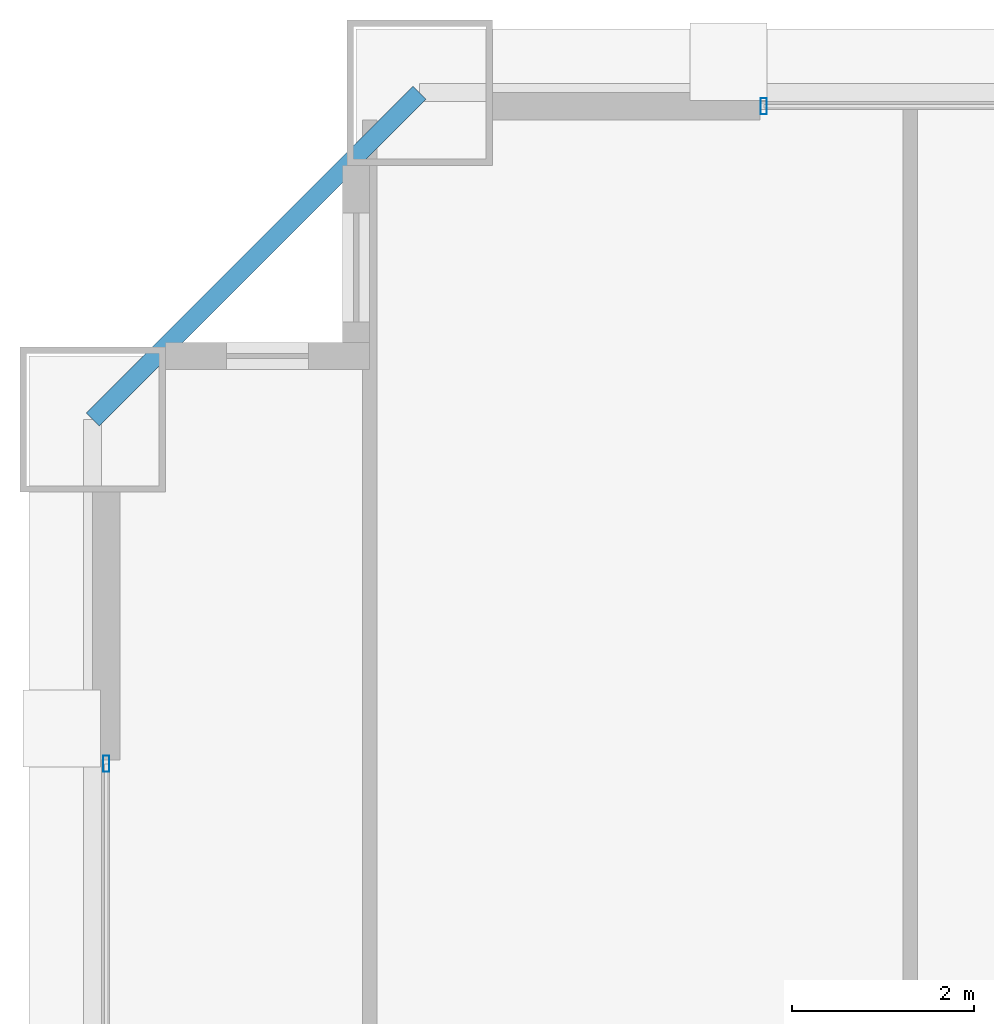
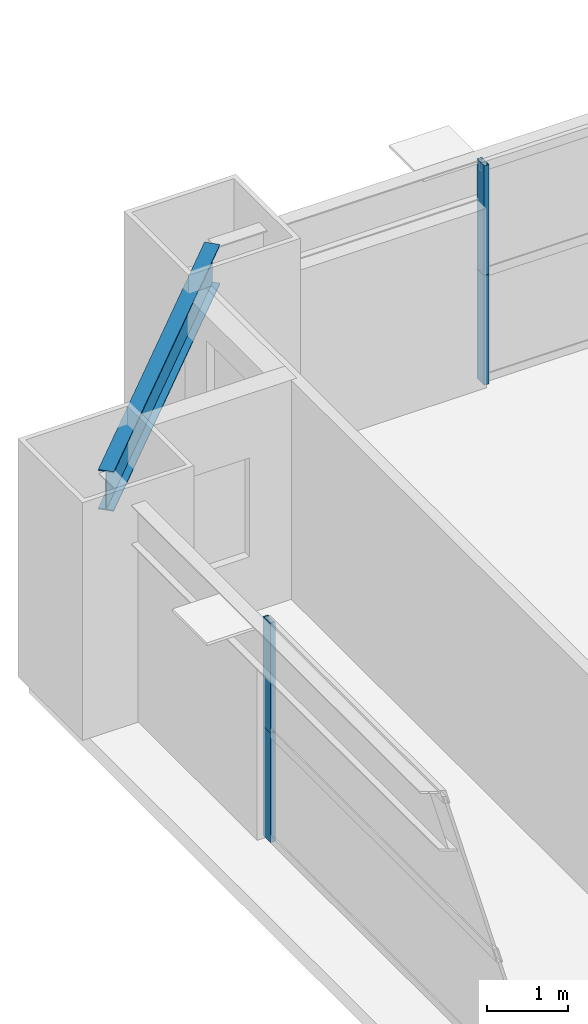
# One storey, part 22 of 38: 4 members, 1 beam, 2 elements without a shape of their own.
"""IFC4 building model written with IfcOpenShell, lengths in metres."""

from ifc_helpers import new_model, si_unit, direction, frame, origin, origin_2d, place, context, subcontext, project, spatial, hollow_rectangle, i_section, extrude, source, transform, mapped, material, layer, layer_set, material_profile, profile_set, type_object, element, aggregate, save


model = new_model("IFC4")

# Units and contexts
model_context = context("Model", 3, precision=1e-05, world=origin(), true_north=direction((0.0, 1.0)))
body_context = subcontext(model_context, "Body", "Model", "MODEL_VIEW")
ifc_project = project(units=[si_unit("LENGTHUNIT", "METRE"), si_unit("AREAUNIT", "SQUARE_METRE"), si_unit("VOLUMEUNIT", "CUBIC_METRE"), si_unit("PLANEANGLEUNIT", "RADIAN"), si_unit("MASSUNIT", "GRAM", prefix="KILO"), si_unit("THERMODYNAMICTEMPERATUREUNIT", "KELVIN"), si_unit("POWERUNIT", "WATT")], contexts=[model_context])

# Site, building, storey
site_placement = place(None, origin())
site = spatial("IfcSite", under=ifc_project, at=site_placement, CompositionType="ELEMENT")
building_placement = place(site_placement, origin())
building = spatial("IfcBuilding", under=site, at=building_placement, Name="Yuzanri Waterfront Tower", CompositionType="ELEMENT")
storey_placement = place(building_placement, frame((0.0, 0.0, 126.199951171875)))
storey = spatial("IfcBuildingStorey", under=building, at=storey_placement, Name="L33", CompositionType="ELEMENT", Elevation=126.199951171875)

# Beam
ifc_material_1 = material(Name="Steel Q355B", Category="steel")
ifc_material_profile_1 = material_profile(ifc_material_1, i_section(OverallWidth=0.199951171875, OverallDepth=0.60009765625, WebThickness=0.010986328125, FlangeThickness=0.01708984375, at=origin_2d()), Name="HN 600x200x11x17")
ifc_profile_set_1 = profile_set([ifc_material_profile_1], Name="Steel Q355B")
beam_type = type_object("IfcBeamType", Name="Perimeter Spandrel Q355B HN 600x200", PredefinedType="SPANDREL", material=ifc_profile_set_1)
shared_shape_1 = source(origin(), body_context, "Body", "SweptSolid", [
    extrude(i_section(OverallWidth=0.199951171875, OverallDepth=0.60009765625, WebThickness=0.010986328125, FlangeThickness=0.01708984375, at=origin_2d()), origin(), (0.0, 0.0, 1.0), 5.091064453125),
])
beam_placement = place(storey_placement, frame((17.0, 49.39990234375, 3.02001953125), z_axis=(-0.707130757816, -0.707082803744, 0.0), x_axis=(0.707082803744, -0.707130757816, 0.0)))
element("IfcBeam", 1, at=beam_placement, inside=storey, type_object=beam_type, Name="L33 Perimeter Spandrel N1-W3", PredefinedType="SPANDREL", context=body_context, shape_type="MappedRepresentation", body=[
    mapped(shared_shape_1, transform((0.0, 0.0, 0.0), scale=1.0)),
])

# Curtain wall, members
ifc_material_2 = material(Name="Anodized Architectural Bronze", Category="metal")
ifc_layer = layer(ifc_material_2, 0.159912109375)
ifc_layer_set = layer_set([ifc_layer], Name="Anodized Architectural Bronze")
curtain_wall_type = type_object("IfcCurtainWallType", Name="Anodized Bronze Hotel Upper-Tier Solar-Control Unitized Curtain Wall 7800", PredefinedType="NOTDEFINED", material=ifc_layer_set)
curtain_wall_1_placement = place(storey_placement, origin())
curtain_wall_1 = element("IfcCurtainWall", 2, at=curtain_wall_1_placement, inside=storey, type_object=curtain_wall_type, Name="L33 Curtain Wall CW-L33-NL", PredefinedType="NOTDEFINED")
ifc_material_3 = material(Name="Anodized Architectural Bronze", Category="metal")
ifc_material_profile_2 = material_profile(ifc_material_3, hollow_rectangle(XDim=0.070068359375, YDim=0.179931640625, WallThickness=0.00390625, at=origin_2d()), Name="CWM 70x180")
ifc_profile_set_2 = profile_set([ifc_material_profile_2], Name="Anodized Architectural Bronze")
member_type = type_object("IfcMemberType", Name="Anodized Bronze Standard Curtain-Wall Mullion 70x180", PredefinedType="MULLION", material=ifc_profile_set_2)
shared_shape_2 = source(origin(), body_context, "Body", "SweptSolid", [
    extrude(hollow_rectangle(XDim=0.070068359375, YDim=0.179931640625, WallThickness=0.00390625, at=origin_2d()), origin(), (0.0, 0.0, 1.0), 1.657958984375),
])
member_1_placement = place(storey_placement, frame((20.7900390625, 49.25, 0.0), z_axis=(0.0, 0.0, 1.0), x_axis=(1.0, 0.0, 0.0)))
member_1 = element("IfcMember", 3, at=member_1_placement, type_object=member_type, Name="CW-L33-NL Lower Mullion 00", PredefinedType="MULLION", context=body_context, shape_type="MappedRepresentation", body=[
    mapped(shared_shape_2, transform((0.0, 0.0, 0.0), scale=1.0)),
])
member_2_placement = place(storey_placement, frame((20.7900390625, 49.25, 1.662109375), z_axis=(0.0, 0.0, 1.0), x_axis=(1.0, 0.0, 0.0)))
member_2 = element("IfcMember", 4, at=member_2_placement, type_object=member_type, Name="CW-L33-NL Upper Mullion 00", PredefinedType="MULLION", context=body_context, shape_type="MappedRepresentation", body=[
    mapped(shared_shape_2, transform((0.0, 0.0, 0.0), scale=1.0)),
])
aggregate(curtain_wall_1, [member_1, member_2])

curtain_wall_2_placement = place(storey_placement, origin())
curtain_wall_2 = element("IfcCurtainWall", 5, at=curtain_wall_2_placement, inside=storey, type_object=curtain_wall_type, Name="L33 Curtain Wall CW-L33-WR", PredefinedType="NOTDEFINED")
member_3_placement = place(storey_placement, frame((13.550048828125, 42.010009765625, 0.0), z_axis=(0.0, 0.0, 1.0), x_axis=(1.0, 0.0, 0.0)))
member_3 = element("IfcMember", 6, at=member_3_placement, type_object=member_type, Name="CW-L33-WR Lower Mullion 02", PredefinedType="MULLION", context=body_context, shape_type="MappedRepresentation", body=[
    mapped(shared_shape_2, transform((0.0, 0.0, 0.0), scale=1.0)),
])
member_4_placement = place(storey_placement, frame((13.550048828125, 42.010009765625, 1.662109375), z_axis=(0.0, 0.0, 1.0), x_axis=(1.0, 0.0, 0.0)))
member_4 = element("IfcMember", 7, at=member_4_placement, type_object=member_type, Name="CW-L33-WR Upper Mullion 02", PredefinedType="MULLION", context=body_context, shape_type="MappedRepresentation", body=[
    mapped(shared_shape_2, transform((0.0, 0.0, 0.0), scale=1.0)),
])
aggregate(curtain_wall_2, [member_3, member_4])

save(model, "model.ifc")
